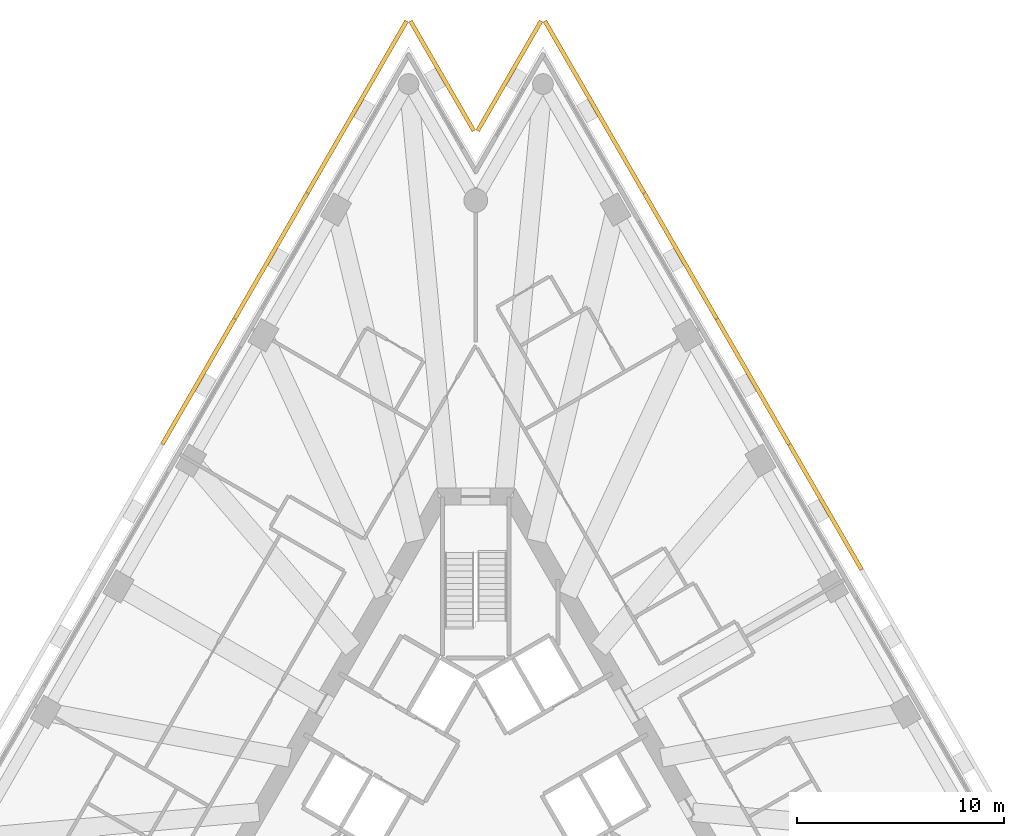
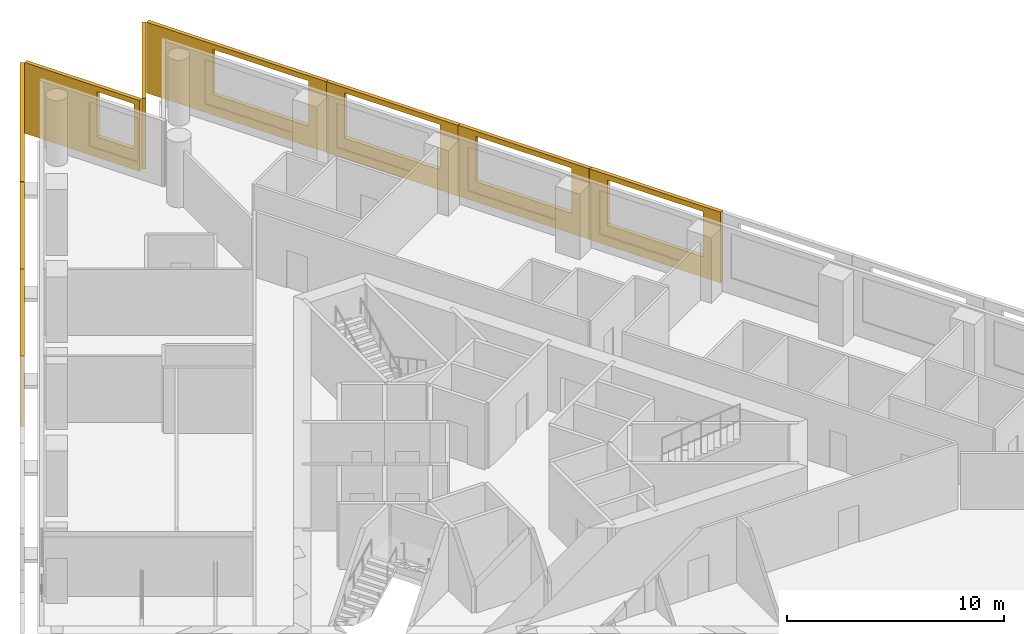
# One storey, part 10 of 10: 9 shading devices.
"""IFC4 building model written with IfcOpenShell, lengths in metres."""

from ifc_helpers import new_model, si_unit, direction, frame, origin, place, context, subcontext, project, spatial, polyline, outline, extrude, material, layer, layer_set, type_object, element, save


model = new_model("IFC4")

# Units and contexts
model_context = context("Model", 3, precision=1e-05, world=origin(), true_north=direction((0.0, 1.0)))
body_context = subcontext(model_context, "Body", "Model", "MODEL_VIEW")
ifc_project = project(units=[si_unit("LENGTHUNIT", "METRE"), si_unit("AREAUNIT", "SQUARE_METRE"), si_unit("VOLUMEUNIT", "CUBIC_METRE"), si_unit("PLANEANGLEUNIT", "RADIAN"), si_unit("MASSUNIT", "GRAM", prefix="KILO")], contexts=[model_context])

# Site, building, storey
site_placement = place(None, origin())
site = spatial("IfcSite", under=ifc_project, at=site_placement, CompositionType="ELEMENT")
building_placement = place(site_placement, origin())
building = spatial("IfcBuilding", under=site, at=building_placement, Name="Triada Interchange Tower", CompositionType="ELEMENT")
storey_placement = place(building_placement, frame((0.0, 0.0, 108.300048828125)))
storey = spatial("IfcBuildingStorey", under=building, at=storey_placement, Name="L24", CompositionType="ELEMENT", Elevation=108.300048828125)

# Shading devices
ifc_material = material(Name="Concrete C50/60 precast", Category="concrete")
ifc_layer_1 = layer(ifc_material, 0.02001953125, Name="Exposed aggregate face")
ifc_layer_2 = layer(ifc_material, 0.179931640625, Name="Precast concrete screen")
ifc_layer_set = layer_set([ifc_layer_1, ifc_layer_2], Name="Outer skin screen panel 3980")
shading_device_type = type_object("IfcShadingDeviceType", Name="Outer skin screen panel 3980", PredefinedType="SHUTTER", material=ifc_layer_set)
shading_device_1_placement = place(storey_placement, frame((-3.25, 37.2041015625, -0.2900390625), z_axis=(0.0, 0.0, 1.0), x_axis=(-0.500020270231, -0.866013700445, 0.0)))
element("IfcShadingDevice", 1, at=shading_device_1_placement, inside=storey, type_object=shading_device_type, Name="Outer skin screen panel L24 01", PredefinedType="SHUTTER", context=body_context, shape_type="SweptSolid", body=[
    extrude(outline(polyline([(0.0, 0.0), (9.57958984375, 0.0), (9.57958984375, 3.97998046875), (0.0, 3.97998046875), (0.0, 0.0)]), holes=[polyline([(3.53857421875, 1.139892578125), (3.53857421875, 3.68994140625), (8.638671875, 3.68994140625), (8.638671875, 1.139892578125), (3.53857421875, 1.139892578125)])]), frame((0.0, 0.0, 0.0), z_axis=(0.0, -1.0, 0.0), x_axis=(1.0, 0.0, 0.0)), (0.0, 0.0, 1.0), 0.199951171875),
])
shading_device_2_placement = place(storey_placement, frame((-8.050048828125, 28.89111328125, -0.2900390625), z_axis=(0.0, 0.0, 1.0), x_axis=(-0.499963579623, -0.866046430078, 0.0)))
element("IfcShadingDevice", 2, at=shading_device_2_placement, inside=storey, type_object=shading_device_type, Name="Outer skin screen panel L24 02", PredefinedType="SHUTTER", context=body_context, shape_type="SweptSolid", body=[
    extrude(outline(polyline([(0.0, 0.0), (6.982421875, 0.0), (6.982421875, 3.97998046875), (0.0, 3.97998046875), (0.0, 0.0)]), holes=[polyline([(0.94091796875, 1.139892578125), (0.94091796875, 3.68994140625), (6.040771484375, 3.68994140625), (6.040771484375, 1.139892578125), (0.94091796875, 1.139892578125)])]), frame((0.0, 0.0, 0.0), z_axis=(0.0, -1.0, 0.0), x_axis=(1.0, 0.0, 0.0)), (0.0, 0.0, 1.0), 0.199951171875),
])
shading_device_3_placement = place(storey_placement, frame((-11.551025390625, 22.826904296875, -0.2900390625), z_axis=(0.0, 0.0, 1.0), x_axis=(-0.5000392868, -0.866002720352, 0.0)))
element("IfcShadingDevice", 3, at=shading_device_3_placement, inside=storey, type_object=shading_device_type, Name="Outer skin screen panel L24 03", PredefinedType="SHUTTER", context=body_context, shape_type="SweptSolid", body=[
    extrude(outline(polyline([(0.0, 0.0), (6.9814453125, 0.0), (6.9814453125, 3.97998046875), (0.0, 3.97998046875), (0.0, 0.0)]), holes=[polyline([(0.941162109375, 1.139892578125), (0.941162109375, 3.68994140625), (6.041015625, 3.68994140625), (6.041015625, 1.139892578125), (0.941162109375, 1.139892578125)])]), frame((0.0, 0.0, 0.0), z_axis=(0.0, -1.0, 0.0), x_axis=(1.0, 0.0, 0.0)), (0.0, 0.0, 1.0), 0.199951171875),
])
shading_device_4_placement = place(storey_placement, frame((18.54296875, 10.717041015625, -0.2900390625), z_axis=(0.0, 0.0, 1.0), x_axis=(-0.49997871953, 0.866037689721, 0.0)))
element("IfcShadingDevice", 4, at=shading_device_4_placement, inside=storey, type_object=shading_device_type, Name="Outer skin screen panel L24 25", PredefinedType="SHUTTER", context=body_context, shape_type="SweptSolid", body=[
    extrude(outline(polyline([(0.0, 0.0), (6.982177734375, 0.0), (6.982177734375, 3.97998046875), (0.0, 3.97998046875), (0.0, 0.0)]), holes=[polyline([(0.9404296875, 1.139892578125), (0.9404296875, 3.68994140625), (6.04052734375, 3.68994140625), (6.04052734375, 1.139892578125), (0.9404296875, 1.139892578125)])]), frame((0.0, 0.0, 0.0), z_axis=(0.0, -1.0, 0.0), x_axis=(1.0, 0.0, 0.0)), (0.0, 0.0, 1.0), 0.199951171875),
])
shading_device_5_placement = place(storey_placement, frame((15.0419921875, 16.781005859375, -0.2900390625), z_axis=(0.0, 0.0, 1.0), x_axis=(-0.5000392868, 0.866002720352, 0.0)))
element("IfcShadingDevice", 5, at=shading_device_5_placement, inside=storey, type_object=shading_device_type, Name="Outer skin screen panel L24 26", PredefinedType="SHUTTER", context=body_context, shape_type="SweptSolid", body=[
    extrude(outline(polyline([(0.0, 0.0), (6.9814453125, 0.0), (6.9814453125, 3.97998046875), (0.0, 3.97998046875), (0.0, 0.0)]), holes=[polyline([(0.94091796875, 1.139892578125), (0.94091796875, 3.68994140625), (6.040771484375, 3.68994140625), (6.040771484375, 1.139892578125), (0.94091796875, 1.139892578125)])]), frame((0.0, 0.0, 0.0), z_axis=(0.0, -1.0, 0.0), x_axis=(1.0, 0.0, 0.0)), (0.0, 0.0, 1.0), 0.199951171875),
])
shading_device_6_placement = place(storey_placement, frame((11.541015625, 22.843994140625, -0.2900390625), z_axis=(0.0, 0.0, 1.0), x_axis=(-0.499963579623, 0.866046430078, 0.0)))
element("IfcShadingDevice", 6, at=shading_device_6_placement, inside=storey, type_object=shading_device_type, Name="Outer skin screen panel L24 27", PredefinedType="SHUTTER", context=body_context, shape_type="SweptSolid", body=[
    extrude(outline(polyline([(0.0, 0.0), (6.982421875, 0.0), (6.982421875, 3.97998046875), (0.0, 3.97998046875), (0.0, 0.0)]), holes=[polyline([(0.941162109375, 1.139892578125), (0.941162109375, 3.68994140625), (6.041015625, 3.68994140625), (6.041015625, 1.139892578125), (0.941162109375, 1.139892578125)])]), frame((0.0, 0.0, 0.0), z_axis=(0.0, -1.0, 0.0), x_axis=(1.0, 0.0, 0.0)), (0.0, 0.0, 1.0), 0.199951171875),
])
shading_device_7_placement = place(storey_placement, frame((8.0400390625, 28.907958984375, -0.2900390625), z_axis=(0.0, 0.0, 1.0), x_axis=(-0.500020270231, 0.866013700445, 0.0)))
element("IfcShadingDevice", 7, at=shading_device_7_placement, inside=storey, type_object=shading_device_type, Name="Outer skin screen panel L24 28", PredefinedType="SHUTTER", context=body_context, shape_type="SweptSolid", body=[
    extrude(outline(polyline([(0.0, 0.0), (9.57958984375, 0.0), (9.57958984375, 3.97998046875), (0.0, 3.97998046875), (0.0, 0.0)]), holes=[polyline([(0.9404296875, 1.139892578125), (0.9404296875, 3.68994140625), (6.040283203125, 3.68994140625), (6.040283203125, 1.139892578125), (0.9404296875, 1.139892578125)])]), frame((0.0, 0.0, 0.0), z_axis=(0.0, -1.0, 0.0), x_axis=(1.0, 0.0, 0.0)), (0.0, 0.0, 1.0), 0.199951171875),
])
shading_device_8_placement = place(storey_placement, frame((3.239990234375, 37.2041015625, -0.2900390625), z_axis=(0.0, 0.0, 1.0), x_axis=(-0.500110176223, -0.865961784167, 0.0)))
element("IfcShadingDevice", 8, at=shading_device_8_placement, inside=storey, type_object=shading_device_type, Name="Outer skin screen panel L24 29", PredefinedType="SHUTTER", context=body_context, shape_type="SweptSolid", body=[
    extrude(outline(polyline([(0.0, 0.0), (6.12255859375, 0.0), (6.12255859375, 3.97998046875), (0.0, 3.97998046875), (0.0, 0.0)]), holes=[polyline([(3.175537109375, 1.139892578125), (3.175537109375, 3.68994140625), (5.8232421875, 3.68994140625), (5.8232421875, 1.139892578125), (3.175537109375, 1.139892578125)])]), frame((0.0, 0.0, 0.0), z_axis=(0.0, -1.0, 0.0), x_axis=(1.0, 0.0, 0.0)), (0.0, 0.0, 1.0), 0.199951171875),
])
shading_device_9_placement = place(storey_placement, frame((-0.177978515625, 31.902099609375, -0.2900390625), z_axis=(0.0, 0.0, 1.0), x_axis=(-0.500110176223, 0.865961784167, 0.0)))
element("IfcShadingDevice", 9, at=shading_device_9_placement, inside=storey, type_object=shading_device_type, Name="Outer skin screen panel L24 30", PredefinedType="SHUTTER", context=body_context, shape_type="SweptSolid", body=[
    extrude(outline(polyline([(0.0, 0.0), (6.12255859375, 0.0), (6.12255859375, 3.97998046875), (0.0, 3.97998046875), (0.0, 0.0)]), holes=[polyline([(0.300048828125, 1.139892578125), (0.300048828125, 3.68994140625), (2.2578125, 3.68994140625), (2.2578125, 1.139892578125), (0.300048828125, 1.139892578125)])]), frame((0.0, 0.0, 0.0), z_axis=(0.0, -1.0, 0.0), x_axis=(1.0, 0.0, 0.0)), (0.0, 0.0, 1.0), 0.199951171875),
])

save(model, "model.ifc")
